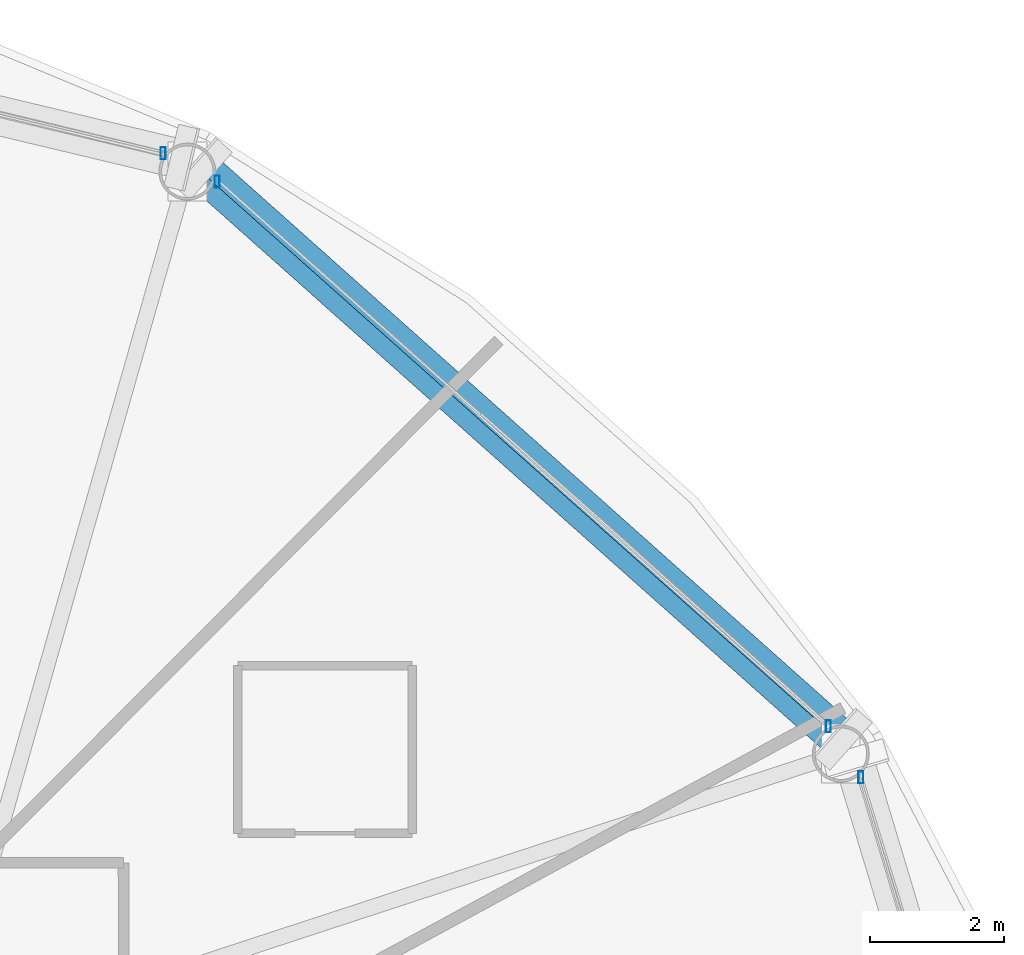
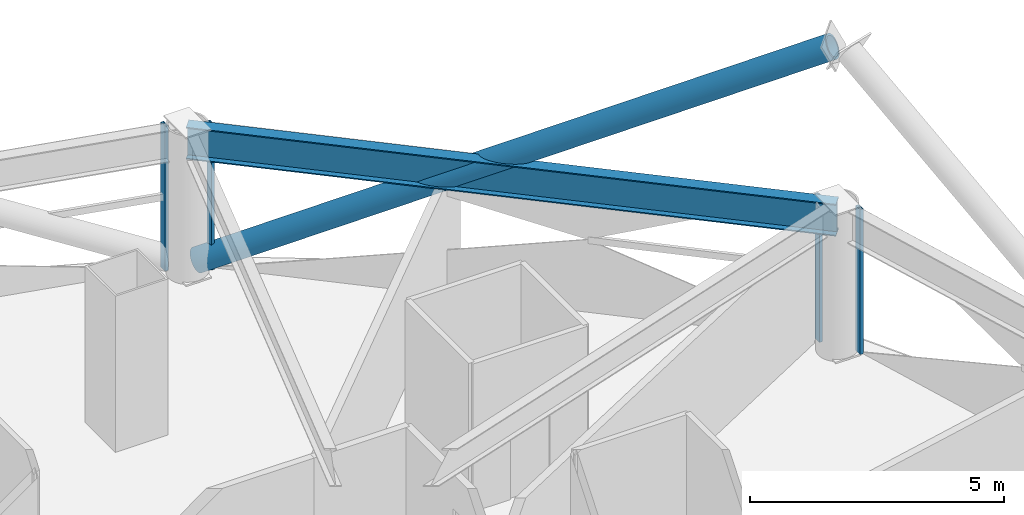
# One storey, part 21 of 31: 5 members, 1 beam, 3 elements without a shape of their own.
"""IFC4 building model written with IfcOpenShell, lengths in metres."""

from ifc_helpers import new_model, si_unit, direction, frame, origin, origin_2d, place, context, subcontext, project, spatial, hollow_rectangle, hollow_circle, i_section, extrude, material, layer, layer_set, material_profile, profile_set, type_object, element, aggregate, save


model = new_model("IFC4")

# Units and contexts
model_context = context("Model", 3, precision=1e-05, world=origin(), true_north=direction((0.0, 1.0)))
body_context = subcontext(model_context, "Body", "Model", "MODEL_VIEW")
ifc_project = project(units=[si_unit("LENGTHUNIT", "METRE"), si_unit("AREAUNIT", "SQUARE_METRE"), si_unit("VOLUMEUNIT", "CUBIC_METRE"), si_unit("PLANEANGLEUNIT", "RADIAN"), si_unit("MASSUNIT", "GRAM", prefix="KILO")], contexts=[model_context])

# Site, building, storey
site_placement = place(None, origin())
site = spatial("IfcSite", under=ifc_project, at=site_placement, CompositionType="ELEMENT")
building_placement = place(site_placement, origin())
building = spatial("IfcBuilding", under=site, at=building_placement, Name="Vantalir Tower", CompositionType="ELEMENT")
storey_placement = place(building_placement, frame((0.0, 0.0, 42.0)))
storey = spatial("IfcBuildingStorey", under=building, at=storey_placement, Name="L09", CompositionType="ELEMENT", Elevation=42.0)

# Beam
ifc_material_1 = material(Name="Steel S460", Category="steel")
ifc_material_profile_1 = material_profile(ifc_material_1, i_section(OverallWidth=0.26806640625, OverallDepth=0.77001953125, WebThickness=0.015625, FlangeThickness=0.025390625, at=origin_2d()), Name="Steel S460")
ifc_profile_set_1 = profile_set([ifc_material_profile_1], Name="Steel S460")
beam_type = type_object("IfcBeamType", Name="BM-RG-762x267", PredefinedType="USERDEFINED", material=ifc_profile_set_1)
beam_placement = place(storey_placement, frame((54.570068359375, 36.863037109375, 3.18505859375), z_axis=(-0.746746630555, 0.665108615005, 0.0), x_axis=(-0.665108615005, -0.746746630555, 0.0)))
element("IfcBeam", 1, at=beam_placement, inside=storey, type_object=beam_type, Name="L09 Circumferential Ring Girder 02", ObjectType="GIRDER", PredefinedType="USERDEFINED", context=body_context, shape_type="SweptSolid", body=[
    extrude(i_section(OverallWidth=0.26806640625, OverallDepth=0.77001953125, WebThickness=0.015625, FlangeThickness=0.025390625, at=origin_2d()), origin(), (0.0, 0.0, 1.0), 13.056640625),
])

# Curtain wall, member
ifc_material_2 = material(Name="Champagne-silver PVDF aluminium and double-silver Low-E glass", Category="aluminium")
ifc_layer = layer(ifc_material_2, 0.18994140625)
ifc_layer_set = layer_set([ifc_layer], Name="Champagne-silver PVDF aluminium and double-silver Low-E glass")
curtain_wall_type = type_object("IfcCurtainWallType", Name="CW-DIAMOND-Z1", PredefinedType="USERDEFINED", material=ifc_layer_set)
curtain_wall_1_placement = place(storey_placement, origin())
curtain_wall_1 = element("IfcCurtainWall", 2, at=curtain_wall_1_placement, inside=storey, type_object=curtain_wall_type, Name="L09 Quilted Pyramid-Diamond Curtain Wall S01", ObjectType="UNITISED CURTAIN WALL", PredefinedType="USERDEFINED")
ifc_material_3 = material(Name="Champagne-silver PVDF aluminium 6063-T6", Category="aluminium")
ifc_material_profile_2 = material_profile(ifc_material_3, hollow_rectangle(XDim=0.074951171875, YDim=0.179931640625, WallThickness=0.00390625, at=origin_2d()), Name="Champagne-silver PVDF aluminium 6063-T6")
ifc_profile_set_2 = profile_set([ifc_material_profile_2], Name="Champagne-silver PVDF aluminium 6063-T6")
member_type_1 = type_object("IfcMemberType", Name="CWM-180x75", PredefinedType="MULLION", material=ifc_profile_set_2)
member_1_placement = place(storey_placement, frame((54.8701171875, 36.508056640625, 0.044921875), z_axis=(0.0, 0.0, 1.0), x_axis=(1.0, 0.0, 0.0)))
member_1 = element("IfcMember", 3, at=member_1_placement, type_object=member_type_1, Name="CW-L09-S01 Mullion 2", PredefinedType="MULLION", context=body_context, shape_type="SweptSolid", body=[
    extrude(hollow_rectangle(XDim=0.074951171875, YDim=0.179931640625, WallThickness=0.00390625, at=origin_2d()), origin(), (0.0, 0.0, 1.0), 3.47998046875),
])
aggregate(curtain_wall_1, [member_1])

# Curtain wall, members
curtain_wall_2_placement = place(storey_placement, origin())
curtain_wall_2 = element("IfcCurtainWall", 4, at=curtain_wall_2_placement, inside=storey, type_object=curtain_wall_type, Name="L09 Quilted Pyramid-Diamond Curtain Wall S02", ObjectType="UNITISED CURTAIN WALL", PredefinedType="USERDEFINED")
member_2_placement = place(storey_placement, frame((54.384033203125, 37.27099609375, 0.044921875), z_axis=(0.0, 0.0, 1.0), x_axis=(1.0, 0.0, 0.0)))
member_2 = element("IfcMember", 5, at=member_2_placement, type_object=member_type_1, Name="CW-L09-S02 Mullion 1", PredefinedType="MULLION", context=body_context, shape_type="SweptSolid", body=[
    extrude(hollow_rectangle(XDim=0.074951171875, YDim=0.179931640625, WallThickness=0.00390625, at=origin_2d()), origin(), (0.0, 0.0, 1.0), 3.47998046875),
])
member_3_placement = place(storey_placement, frame((45.26611328125, 45.39892578125, 0.044921875), z_axis=(0.0, 0.0, 1.0), x_axis=(1.0, 0.0, 0.0)))
member_3 = element("IfcMember", 6, at=member_3_placement, type_object=member_type_1, Name="CW-L09-S02 Mullion 2", PredefinedType="MULLION", context=body_context, shape_type="SweptSolid", body=[
    extrude(hollow_rectangle(XDim=0.074951171875, YDim=0.179931640625, WallThickness=0.00390625, at=origin_2d()), origin(), (0.0, 0.0, 1.0), 3.47998046875),
])
aggregate(curtain_wall_2, [member_2, member_3])

# Curtain wall, member
curtain_wall_3_placement = place(storey_placement, origin())
curtain_wall_3 = element("IfcCurtainWall", 7, at=curtain_wall_3_placement, inside=storey, type_object=curtain_wall_type, Name="L09 Quilted Pyramid-Diamond Curtain Wall S03", ObjectType="UNITISED CURTAIN WALL", PredefinedType="USERDEFINED")
member_4_placement = place(storey_placement, frame((44.4580078125, 45.821044921875, 0.044921875), z_axis=(0.0, 0.0, 1.0), x_axis=(1.0, 0.0, 0.0)))
member_4 = element("IfcMember", 8, at=member_4_placement, type_object=member_type_1, Name="CW-L09-S03 Mullion 1", PredefinedType="MULLION", context=body_context, shape_type="SweptSolid", body=[
    extrude(hollow_rectangle(XDim=0.074951171875, YDim=0.179931640625, WallThickness=0.00390625, at=origin_2d()), origin(), (0.0, 0.0, 1.0), 3.47998046875),
])
aggregate(curtain_wall_3, [member_4])

# Member
ifc_material_profile_3 = material_profile(ifc_material_1, hollow_circle(Radius=0.27001953125, WallThickness=0.044921875, at=origin_2d()), Name="Steel S460")
ifc_profile_set_3 = profile_set([ifc_material_profile_3], Name="Steel S460")
member_type_2 = type_object("IfcMemberType", Name="MEM-DB-540x45", PredefinedType="BRACE", material=ifc_profile_set_3)
member_5_placement = place(storey_placement, frame((45.05908203125, 45.5830078125, 0.18505859375), z_axis=(0.655674281331, -0.58441884564, 0.478064691921), x_axis=(0.665379095264, 0.746505632655, 0.0)))
element("IfcMember", 9, at=member_5_placement, inside=storey, type_object=member_type_2, Name="L09 Perimeter S460 Diagrid Brace R07R", PredefinedType="BRACE", context=body_context, shape_type="SweptSolid", body=[
    extrude(hollow_circle(Radius=0.27001953125, WallThickness=0.044921875, at=origin_2d()), origin(), (0.0, 0.0, 1.0), 14.53759765625),
])

save(model, "model.ifc")
